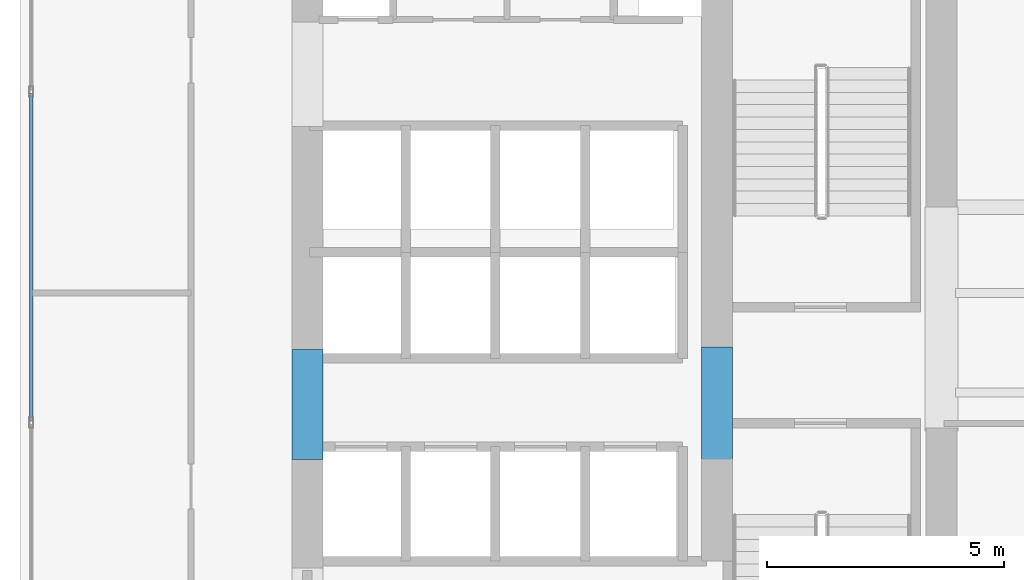
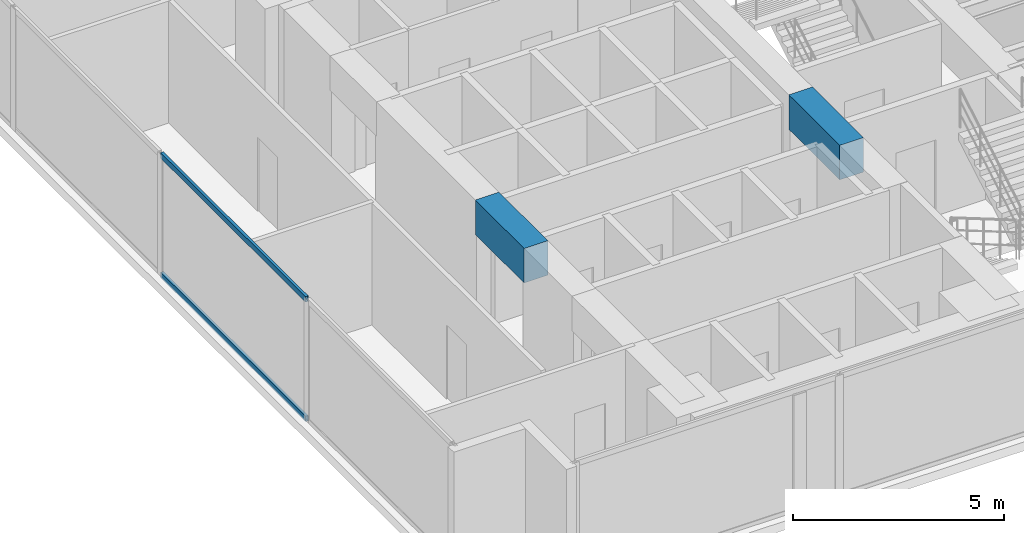
# One storey, part 3 of 26: 2 beams, 2 members, 1 element without a shape of its own.
"""IFC4 building model written with IfcOpenShell, lengths in metres."""

from ifc_helpers import new_model, si_unit, direction, frame, origin, origin_with_axes, origin_2d, place, context, subcontext, project, spatial, rectangle, hollow_rectangle, extrude, source, transform, mapped, material, layer, layer_set, material_profile, profile_set, type_object, element, aggregate, save


model = new_model("IFC4")

# Units and contexts
model_context = context("Model", 3, precision=1e-05, world=origin(), true_north=direction((0.0, 1.0)))
body_context = subcontext(model_context, "Body", "Model", "MODEL_VIEW")
ifc_project = project(units=[si_unit("LENGTHUNIT", "METRE"), si_unit("AREAUNIT", "SQUARE_METRE"), si_unit("VOLUMEUNIT", "CUBIC_METRE"), si_unit("PLANEANGLEUNIT", "RADIAN"), si_unit("MASSUNIT", "GRAM", prefix="KILO")], contexts=[model_context])

# Site, building, storey
site_placement = place(None, origin())
site = spatial("IfcSite", under=ifc_project, at=site_placement, CompositionType="ELEMENT")
building_placement = place(site_placement, origin())
building = spatial("IfcBuilding", under=site, at=building_placement, Name="Kolvaren Waterfront Exchange", CompositionType="ELEMENT")
storey_placement = place(building_placement, frame((0.0, 0.0, 99.300048828125)))
storey = spatial("IfcBuildingStorey", under=building, at=storey_placement, Name="L25", CompositionType="ELEMENT", Elevation=99.300048828125)

# Beams
ifc_material_1 = material(Name="Concrete C60/75", Category="concrete")
ifc_material_profile_1 = material_profile(ifc_material_1, rectangle(XDim=0.64990234375, YDim=1.0, at=origin_2d()), Name="RC-CB-1000x650")
ifc_profile_set_1 = profile_set([ifc_material_profile_1], Name="Concrete C60/75")
beam_type = type_object("IfcBeamType", Name="STR-CB-1000", PredefinedType="SPANDREL", material=ifc_profile_set_1)
beam_1_placement = place(storey_placement, frame((7.449951171875, 12.090087890625, 3.0400390625), z_axis=(0.0, 1.0, 0.0), x_axis=(-1.0, 0.0, 0.0)))
element("IfcBeam", 1, at=beam_1_placement, inside=storey, type_object=beam_type, Name="L25 core coupling beam 4", PredefinedType="SPANDREL", context=body_context, shape_type="SweptSolid", body=[
    extrude(rectangle(XDim=0.64990234375, YDim=1.0, at=origin_2d()), origin(), (0.0, 0.0, 1.0), 2.31982421875),
])
beam_2_placement = place(storey_placement, frame((16.074951171875, 12.0400390625, 3.0400390625), z_axis=(0.0, 1.0, 0.0), x_axis=(-1.0, 0.0, 0.0)))
element("IfcBeam", 2, at=beam_2_placement, inside=storey, type_object=beam_type, Name="L25 core coupling beam 6", PredefinedType="SPANDREL", context=body_context, shape_type="SweptSolid", body=[
    extrude(rectangle(XDim=0.64990234375, YDim=1.0, at=origin_2d()), origin(), (0.0, 0.0, 1.0), 2.419921875),
])

# Curtain wall, members
ifc_material_2 = material(Name="Anodised aluminium 6063-T6", Category="aluminium")
ifc_layer = layer(ifc_material_2, 0.219970703125, Name="Anodised aluminium 6063-T6")
ifc_layer_set = layer_set([ifc_layer], Name="Anodised aluminium 6063-T6")
curtain_wall_type = type_object("IfcCurtainWallType", Name="ARC-CW-SYS2", PredefinedType="USERDEFINED", material=ifc_layer_set)
curtain_wall_placement = place(storey_placement, origin())
curtain_wall = element("IfcCurtainWall", 3, at=curtain_wall_placement, inside=storey, type_object=curtain_wall_type, Name="L25 stick curtain wall CW2 (CW-L25-W)", ObjectType="STICK CURTAIN WALL", PredefinedType="USERDEFINED")
ifc_material_profile_2 = material_profile(ifc_material_2, hollow_rectangle(XDim=0.074951171875, YDim=0.159912109375, WallThickness=0.00439453125, at=origin_2d()), Name="ALU-TRN-160x75x4.5")
ifc_profile_set_2 = profile_set([ifc_material_profile_2], Name="Anodised aluminium 6063-T6")
member_type = type_object("IfcMemberType", Name="ARC-CWT-160", PredefinedType="USERDEFINED", material=ifc_profile_set_2)
shared_shape = source(origin_with_axes(), body_context, "Body", "SweptSolid", [
    extrude(hollow_rectangle(XDim=0.074951171875, YDim=0.159912109375, WallThickness=0.00439453125, at=origin_2d()), origin(), (0.0, 0.0, 1.0), 6.886474609375),
])
member_1_placement = place(storey_placement, frame((1.639892578125, 12.90673828125, 0.037353515625), z_axis=(0.0, 1.0, 0.0), x_axis=(-1.0, 0.0, 0.0)))
member_1 = element("IfcMember", 4, at=member_1_placement, type_object=member_type, Name="CW2 transom 2.1", ObjectType="TRANSOM", PredefinedType="USERDEFINED", context=body_context, shape_type="MappedRepresentation", body=[
    mapped(shared_shape, transform((0.0, 0.0, 0.0), x_axis=(1.0, 0.0, 0.0), y_axis=(0.0, 1.0, 0.0), z_axis=(0.0, 0.0, 1.0), scale=1.0)),
])
member_2_placement = place(storey_placement, frame((1.639892578125, 12.90673828125, 3.50244140625), z_axis=(0.0, 1.0, 0.0), x_axis=(-1.0, 0.0, 0.0)))
member_2 = element("IfcMember", 5, at=member_2_placement, type_object=member_type, Name="CW2 transom 2.2", ObjectType="TRANSOM", PredefinedType="USERDEFINED", context=body_context, shape_type="MappedRepresentation", body=[
    mapped(shared_shape, transform((0.0, 0.0, 0.0), x_axis=(1.0, 0.0, 0.0), y_axis=(0.0, 1.0, 0.0), z_axis=(0.0, 0.0, 1.0), scale=1.0)),
])
aggregate(curtain_wall, [member_1, member_2])

save(model, "model.ifc")
